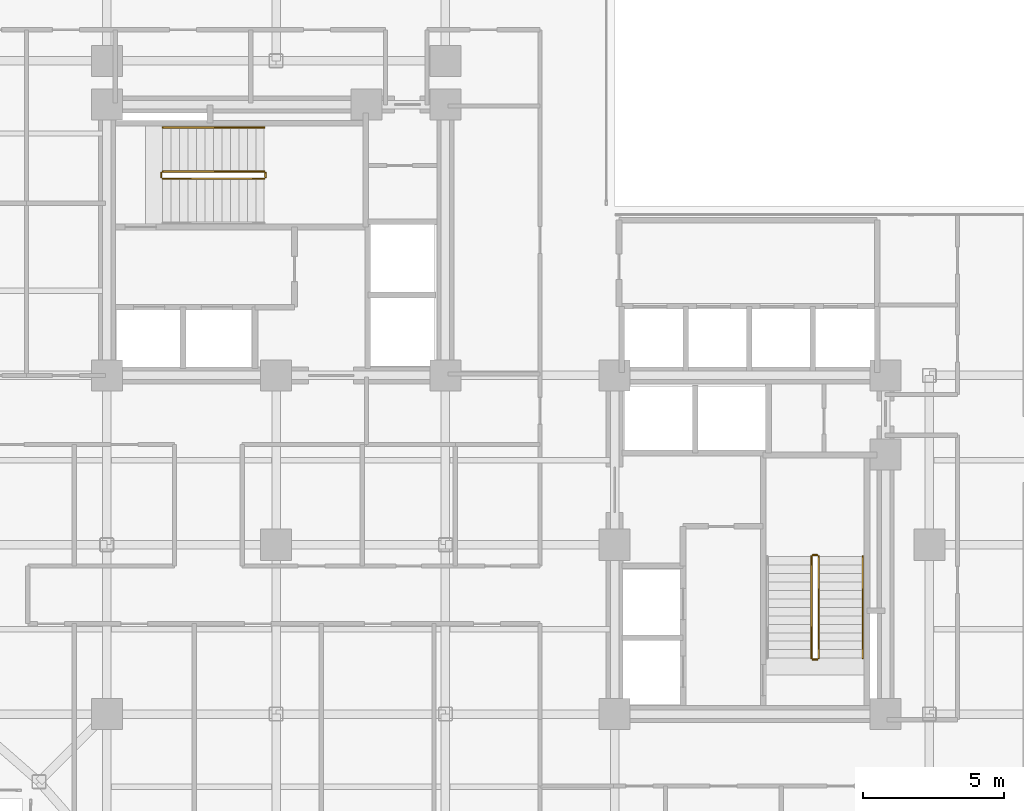
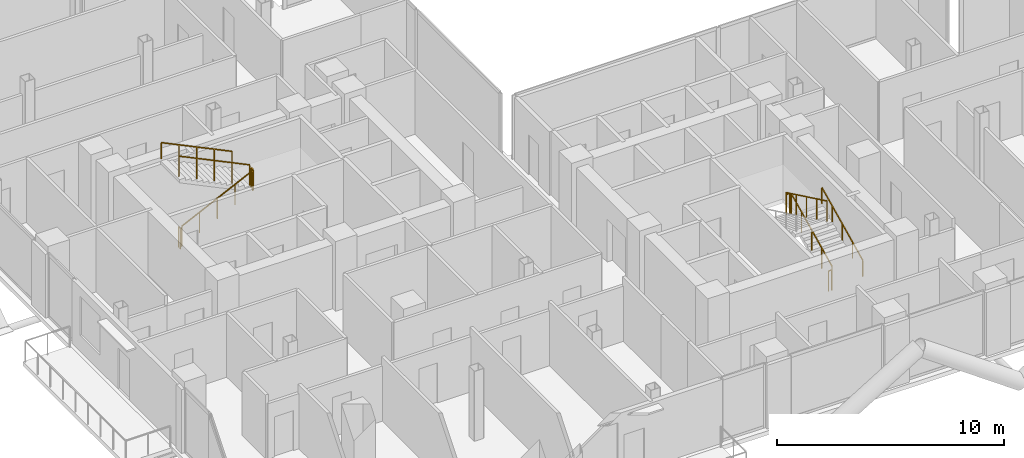
# One storey, part 24 of 24: 10 railings.
"""IFC4 building model written with IfcOpenShell, lengths in metres."""

from ifc_helpers import new_model, si_unit, direction, frame, origin, origin_2d, place, context, subcontext, project, spatial, rectangle, extrude, material, type_object, element, save


model = new_model("IFC4")

# Units and contexts
model_context = context("Model", 3, precision=1e-05, world=origin(), true_north=direction((0.0, 1.0)))
body_context = subcontext(model_context, "Body", "Model", "MODEL_VIEW")
ifc_project = project(units=[si_unit("LENGTHUNIT", "METRE"), si_unit("AREAUNIT", "SQUARE_METRE"), si_unit("VOLUMEUNIT", "CUBIC_METRE"), si_unit("PLANEANGLEUNIT", "RADIAN"), si_unit("MASSUNIT", "GRAM", prefix="KILO"), si_unit("THERMODYNAMICTEMPERATUREUNIT", "KELVIN"), si_unit("POWERUNIT", "WATT")], contexts=[model_context])

# Site, building, storey
site_placement = place(None, origin())
site = spatial("IfcSite", under=ifc_project, at=site_placement, CompositionType="ELEMENT")
building_placement = place(site_placement, origin())
building = spatial("IfcBuilding", under=site, at=building_placement, Name="Svarakhadi Broadcast Tower", CompositionType="ELEMENT")
storey_placement = place(building_placement, frame((0.0, 0.0, 160.64990234375)))
storey = spatial("IfcBuildingStorey", under=building, at=storey_placement, Name="L39", CompositionType="ELEMENT", Elevation=160.64990234375)

# Railings
ifc_material = material(Name="Anodised Bronze Aluminium AA 6063-T6", Category="aluminium")
railing_type_1 = type_object("IfcRailingType", Name="Guard_Stair_GR01", PredefinedType="GUARDRAIL", material=ifc_material)
railing_1_placement = place(storey_placement, frame((7.97998046875, 24.969970703125, 0.144287109375)))
element("IfcRailing", 1, at=railing_1_placement, inside=storey, type_object=railing_type_1, Name="L39 ST-01 stair guard 1", PredefinedType="GUARDRAIL", context=body_context, shape_type="SweptSolid", body=[
    extrude(rectangle(XDim=0.048095703125, YDim=0.048095703125, at=origin_2d()), frame((0.0, 0.0, 1.09619140625), z_axis=(0.901262522062, 0.0, 0.433273431364), x_axis=(0.0, 1.0, 0.0)), (0.0, 0.0, 1.0), 3.994384765625),
    extrude(rectangle(XDim=0.0419921875, YDim=0.0419921875, at=origin_2d()), origin(), (0.0, 0.0, 1.0), 1.072021484375),
    extrude(rectangle(XDim=0.0419921875, YDim=0.0419921875, at=origin_2d()), frame((0.89990234375, 0.0, 0.4326171875)), (0.0, 0.0, 1.0), 1.072021484375),
    extrude(rectangle(XDim=0.0419921875, YDim=0.0419921875, at=origin_2d()), frame((1.800048828125, 0.0, 0.865234375)), (0.0, 0.0, 1.0), 1.072021484375),
    extrude(rectangle(XDim=0.0419921875, YDim=0.0419921875, at=origin_2d()), frame((2.7001953125, 0.0, 1.298095703125)), (0.0, 0.0, 1.0), 1.072021484375),
    extrude(rectangle(XDim=0.0419921875, YDim=0.0419921875, at=origin_2d()), frame((3.60009765625, 0.0, 1.730712890625)), (0.0, 0.0, 1.0), 1.072021484375),
])
railing_2_placement = place(storey_placement, frame((11.6298828125, 25.02001953125, 1.875)))
element("IfcRailing", 2, at=railing_2_placement, inside=storey, type_object=railing_type_1, Name="L39 ST-01 stair guard 2", PredefinedType="GUARDRAIL", context=body_context, shape_type="SweptSolid", body=[
    extrude(rectangle(XDim=0.048095703125, YDim=0.048095703125, at=origin_2d()), frame((0.0, 0.0, 1.09619140625), z_axis=(0.0, 1.0, 0.0), x_axis=(-1.0, 0.0, 0.0)), (0.0, 0.0, 1.0), 0.159912109375),
    extrude(rectangle(XDim=0.0419921875, YDim=0.0419921875, at=origin_2d()), origin(), (0.0, 0.0, 1.0), 1.072021484375),
    extrude(rectangle(XDim=0.0419921875, YDim=0.0419921875, at=origin_2d()), frame((0.0, 0.159912109375, 0.0)), (0.0, 0.0, 1.0), 1.072021484375),
])
railing_3_placement = place(storey_placement, frame((11.580078125, 25.22998046875, 2.019287109375)))
element("IfcRailing", 3, at=railing_3_placement, inside=storey, type_object=railing_type_1, Name="L39 ST-01 stair guard 3", PredefinedType="GUARDRAIL", context=body_context, shape_type="SweptSolid", body=[
    extrude(rectangle(XDim=0.048095703125, YDim=0.048095703125, at=origin_2d()), frame((0.0, 0.0, 1.09619140625), z_axis=(-0.901262522062, 0.0, 0.433273431364), x_axis=(0.0, -1.0, 0.0)), (0.0, 0.0, 1.0), 3.994384765625),
    extrude(rectangle(XDim=0.0419921875, YDim=0.0419921875, at=origin_2d()), origin(), (0.0, 0.0, 1.0), 1.072021484375),
    extrude(rectangle(XDim=0.0419921875, YDim=0.0419921875, at=origin_2d()), frame((-0.89990234375, 0.0, 0.4326171875)), (0.0, 0.0, 1.0), 1.072021484375),
    extrude(rectangle(XDim=0.0419921875, YDim=0.0419921875, at=origin_2d()), frame((-1.800048828125, 0.0, 0.865234375)), (0.0, 0.0, 1.0), 1.072021484375),
    extrude(rectangle(XDim=0.0419921875, YDim=0.0419921875, at=origin_2d()), frame((-2.7001953125, 0.0, 1.298095703125)), (0.0, 0.0, 1.0), 1.072021484375),
    extrude(rectangle(XDim=0.0419921875, YDim=0.0419921875, at=origin_2d()), frame((-3.60009765625, 0.0, 1.730712890625)), (0.0, 0.0, 1.0), 1.072021484375),
])
railing_4_placement = place(storey_placement, frame((7.929931640625, 25.02001953125, 0.0)))
element("IfcRailing", 4, at=railing_4_placement, inside=storey, type_object=railing_type_1, Name="L39 ST-01 stair guard 4", PredefinedType="GUARDRAIL", context=body_context, shape_type="SweptSolid", body=[
    extrude(rectangle(XDim=0.048095703125, YDim=0.048095703125, at=origin_2d()), frame((0.0, 0.0, 1.09619140625), z_axis=(0.0, 1.0, 0.0), x_axis=(-1.0, 0.0, 0.0)), (0.0, 0.0, 1.0), 0.159912109375),
    extrude(rectangle(XDim=0.0419921875, YDim=0.0419921875, at=origin_2d()), origin(), (0.0, 0.0, 1.0), 1.072021484375),
    extrude(rectangle(XDim=0.0419921875, YDim=0.0419921875, at=origin_2d()), frame((0.0, 0.159912109375, 0.0)), (0.0, 0.0, 1.0), 1.072021484375),
])
railing_5_placement = place(storey_placement, frame((31.22998046875, 7.97998046875, 0.144287109375)))
element("IfcRailing", 5, at=railing_5_placement, inside=storey, type_object=railing_type_1, Name="L39 ST-02 stair guard 1", PredefinedType="GUARDRAIL", context=body_context, shape_type="SweptSolid", body=[
    extrude(rectangle(XDim=0.048095703125, YDim=0.048095703125, at=origin_2d()), frame((0.0, 0.0, 1.09619140625), z_axis=(0.0, 0.901262522062, 0.433273431364), x_axis=(-1.0, 0.0, 0.0)), (0.0, 0.0, 1.0), 3.994384765625),
    extrude(rectangle(XDim=0.0419921875, YDim=0.0419921875, at=origin_2d()), origin(), (0.0, 0.0, 1.0), 1.072021484375),
    extrude(rectangle(XDim=0.0419921875, YDim=0.0419921875, at=origin_2d()), frame((0.0, 0.89990234375, 0.4326171875)), (0.0, 0.0, 1.0), 1.072021484375),
    extrude(rectangle(XDim=0.0419921875, YDim=0.0419921875, at=origin_2d()), frame((0.0, 1.800048828125, 0.865234375)), (0.0, 0.0, 1.0), 1.072021484375),
    extrude(rectangle(XDim=0.0419921875, YDim=0.0419921875, at=origin_2d()), frame((0.0, 2.7001953125, 1.298095703125)), (0.0, 0.0, 1.0), 1.072021484375),
    extrude(rectangle(XDim=0.0419921875, YDim=0.0419921875, at=origin_2d()), frame((0.0, 3.60009765625, 1.730712890625)), (0.0, 0.0, 1.0), 1.072021484375),
])
railing_6_placement = place(storey_placement, frame((31.179931640625, 11.6298828125, 1.875)))
element("IfcRailing", 6, at=railing_6_placement, inside=storey, type_object=railing_type_1, Name="L39 ST-02 stair guard 2", PredefinedType="GUARDRAIL", context=body_context, shape_type="SweptSolid", body=[
    extrude(rectangle(XDim=0.048095703125, YDim=0.048095703125, at=origin_2d()), frame((0.0, 0.0, 1.09619140625), z_axis=(-1.0, 0.0, 0.0), x_axis=(0.0, -1.0, 0.0)), (0.0, 0.0, 1.0), 0.159912109375),
    extrude(rectangle(XDim=0.0419921875, YDim=0.0419921875, at=origin_2d()), origin(), (0.0, 0.0, 1.0), 1.072021484375),
    extrude(rectangle(XDim=0.0419921875, YDim=0.0419921875, at=origin_2d()), frame((-0.159912109375, 0.0, 0.0)), (0.0, 0.0, 1.0), 1.072021484375),
])
railing_7_placement = place(storey_placement, frame((30.969970703125, 11.580078125, 2.019287109375)))
element("IfcRailing", 7, at=railing_7_placement, inside=storey, type_object=railing_type_1, Name="L39 ST-02 stair guard 3", PredefinedType="GUARDRAIL", context=body_context, shape_type="SweptSolid", body=[
    extrude(rectangle(XDim=0.048095703125, YDim=0.048095703125, at=origin_2d()), frame((0.0, 0.0, 1.09619140625), z_axis=(0.0, -0.901262522062, 0.433273431364), x_axis=(1.0, 0.0, 0.0)), (0.0, 0.0, 1.0), 3.994384765625),
    extrude(rectangle(XDim=0.0419921875, YDim=0.0419921875, at=origin_2d()), origin(), (0.0, 0.0, 1.0), 1.072021484375),
    extrude(rectangle(XDim=0.0419921875, YDim=0.0419921875, at=origin_2d()), frame((0.0, -0.89990234375, 0.4326171875)), (0.0, 0.0, 1.0), 1.072021484375),
    extrude(rectangle(XDim=0.0419921875, YDim=0.0419921875, at=origin_2d()), frame((0.0, -1.800048828125, 0.865234375)), (0.0, 0.0, 1.0), 1.072021484375),
    extrude(rectangle(XDim=0.0419921875, YDim=0.0419921875, at=origin_2d()), frame((0.0, -2.7001953125, 1.298095703125)), (0.0, 0.0, 1.0), 1.072021484375),
    extrude(rectangle(XDim=0.0419921875, YDim=0.0419921875, at=origin_2d()), frame((0.0, -3.60009765625, 1.730712890625)), (0.0, 0.0, 1.0), 1.072021484375),
])
railing_8_placement = place(storey_placement, frame((31.179931640625, 7.929931640625, 0.0)))
element("IfcRailing", 8, at=railing_8_placement, inside=storey, type_object=railing_type_1, Name="L39 ST-02 stair guard 4", PredefinedType="GUARDRAIL", context=body_context, shape_type="SweptSolid", body=[
    extrude(rectangle(XDim=0.048095703125, YDim=0.048095703125, at=origin_2d()), frame((0.0, 0.0, 1.09619140625), z_axis=(-1.0, 0.0, 0.0), x_axis=(0.0, -1.0, 0.0)), (0.0, 0.0, 1.0), 0.159912109375),
    extrude(rectangle(XDim=0.0419921875, YDim=0.0419921875, at=origin_2d()), origin(), (0.0, 0.0, 1.0), 1.072021484375),
    extrude(rectangle(XDim=0.0419921875, YDim=0.0419921875, at=origin_2d()), frame((-0.159912109375, 0.0, 0.0)), (0.0, 0.0, 1.0), 1.072021484375),
])
railing_type_2 = type_object("IfcRailingType", Name="Handrail_Stair_HR01", PredefinedType="HANDRAIL", material=ifc_material)
railing_9_placement = place(storey_placement, frame((11.580078125, 26.7900390625, 2.019287109375)))
element("IfcRailing", 9, at=railing_9_placement, inside=storey, type_object=railing_type_2, Name="L39 ST-01 stair handrail 2", PredefinedType="HANDRAIL", context=body_context, shape_type="SweptSolid", body=[
    extrude(rectangle(XDim=0.048095703125, YDim=0.048095703125, at=origin_2d()), frame((0.0, 0.0, 0.8759765625), z_axis=(-0.901262522062, 0.0, 0.433273431364), x_axis=(0.0, -1.0, 0.0)), (0.0, 0.0, 1.0), 3.994384765625),
    extrude(rectangle(XDim=0.0419921875, YDim=0.0419921875, at=origin_2d()), origin(), (0.0, 0.0, 1.0), 0.851806640625),
    extrude(rectangle(XDim=0.0419921875, YDim=0.0419921875, at=origin_2d()), frame((-0.89990234375, 0.0, 0.4326171875)), (0.0, 0.0, 1.0), 0.851806640625),
    extrude(rectangle(XDim=0.0419921875, YDim=0.0419921875, at=origin_2d()), frame((-1.800048828125, 0.0, 0.865234375)), (0.0, 0.0, 1.0), 0.851806640625),
    extrude(rectangle(XDim=0.0419921875, YDim=0.0419921875, at=origin_2d()), frame((-2.7001953125, 0.0, 1.298095703125)), (0.0, 0.0, 1.0), 0.851806640625),
    extrude(rectangle(XDim=0.0419921875, YDim=0.0419921875, at=origin_2d()), frame((-3.60009765625, 0.0, 1.730712890625)), (0.0, 0.0, 1.0), 0.851806640625),
])
railing_10_placement = place(storey_placement, frame((32.7900390625, 7.97998046875, 0.144287109375)))
element("IfcRailing", 10, at=railing_10_placement, inside=storey, type_object=railing_type_2, Name="L39 ST-02 stair handrail 1", PredefinedType="HANDRAIL", context=body_context, shape_type="SweptSolid", body=[
    extrude(rectangle(XDim=0.048095703125, YDim=0.048095703125, at=origin_2d()), frame((0.0, 0.0, 0.8759765625), z_axis=(0.0, 0.901262522062, 0.433273431364), x_axis=(-1.0, 0.0, 0.0)), (0.0, 0.0, 1.0), 3.994384765625),
    extrude(rectangle(XDim=0.0419921875, YDim=0.0419921875, at=origin_2d()), origin(), (0.0, 0.0, 1.0), 0.851806640625),
    extrude(rectangle(XDim=0.0419921875, YDim=0.0419921875, at=origin_2d()), frame((0.0, 0.89990234375, 0.4326171875)), (0.0, 0.0, 1.0), 0.851806640625),
    extrude(rectangle(XDim=0.0419921875, YDim=0.0419921875, at=origin_2d()), frame((0.0, 1.800048828125, 0.865234375)), (0.0, 0.0, 1.0), 0.851806640625),
    extrude(rectangle(XDim=0.0419921875, YDim=0.0419921875, at=origin_2d()), frame((0.0, 2.7001953125, 1.298095703125)), (0.0, 0.0, 1.0), 0.851806640625),
    extrude(rectangle(XDim=0.0419921875, YDim=0.0419921875, at=origin_2d()), frame((0.0, 3.60009765625, 1.730712890625)), (0.0, 0.0, 1.0), 0.851806640625),
])

save(model, "model.ifc")
